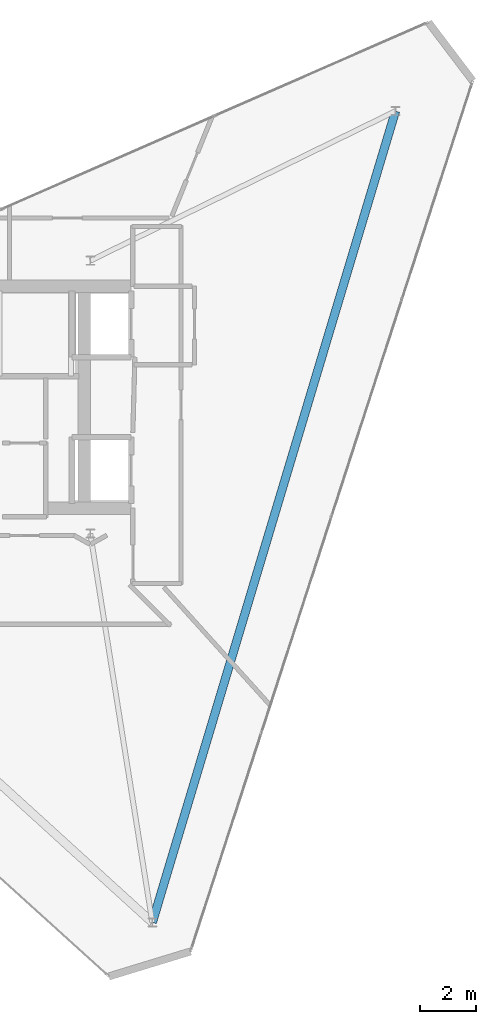
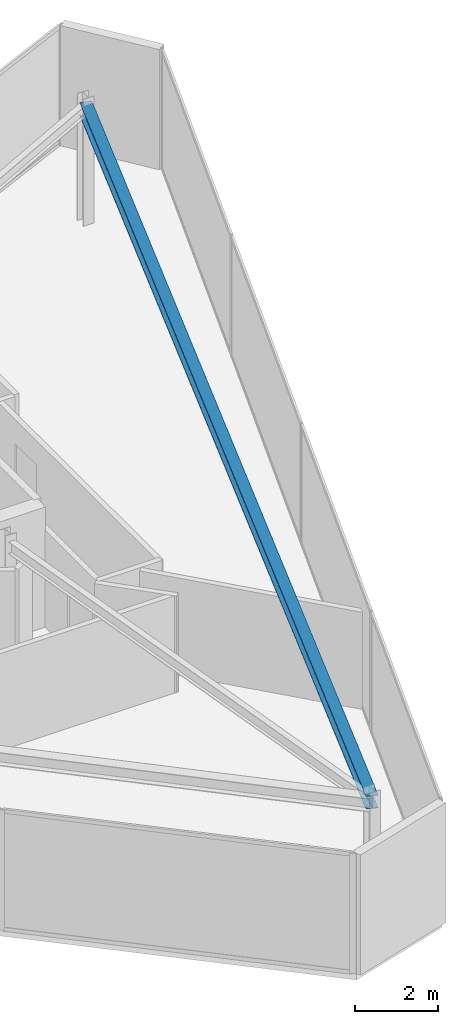
# One storey, part 9 of 16: 1 beam.
"""IFC4 building model written with IfcOpenShell, lengths in metres."""

from ifc_helpers import new_model, si_unit, direction, frame, origin, origin_2d, place, context, subcontext, project, spatial, i_section, extrude, material, material_profile, profile_set, type_object, element, save


model = new_model("IFC4")

# Units and contexts
model_context = context("Model", 3, precision=1e-05, world=origin(), true_north=direction((0.0, 1.0)))
body_context = subcontext(model_context, "Body", "Model", "MODEL_VIEW")
ifc_project = project(units=[si_unit("LENGTHUNIT", "METRE"), si_unit("AREAUNIT", "SQUARE_METRE"), si_unit("VOLUMEUNIT", "CUBIC_METRE"), si_unit("PLANEANGLEUNIT", "RADIAN"), si_unit("MASSUNIT", "GRAM", prefix="KILO")], contexts=[model_context])

# Site, building, storey
site_placement = place(None, origin())
site = spatial("IfcSite", under=ifc_project, at=site_placement, CompositionType="ELEMENT")
building_placement = place(site_placement, origin())
building = spatial("IfcBuilding", under=site, at=building_placement, Name="Qianvela Tower", CompositionType="ELEMENT")
storey_placement = place(building_placement, frame((0.0, 0.0, 367.550048828125)))
storey = spatial("IfcBuildingStorey", under=building, at=storey_placement, Name="L95", CompositionType="ELEMENT", Elevation=367.550048828125)

# Beam
ifc_material = material(Name="Steel Q355B", Category="steel")
ifc_material_profile = material_profile(ifc_material, i_section(OverallWidth=0.300048828125, OverallDepth=0.389892578125, WebThickness=0.010009765625, FlangeThickness=0.01611328125, at=origin_2d()), Name="HM390x300x10x16")
ifc_profile_set = profile_set([ifc_material_profile], Name="Steel Q355B")
beam_type = type_object("IfcBeamType", Name="BM-HM390-COLL", PredefinedType="BEAM", material=ifc_profile_set)
beam_placement = place(storey_placement, frame((49.248046875, 38.866943359375, 3.35302734375), z_axis=(-0.287106838651, -0.957898566237, 0.0), x_axis=(0.957898566237, -0.287106838651, 0.0)))
element("IfcBeam", 1, at=beam_placement, inside=storey, type_object=beam_type, Name="L95 Crown Perimeter Frame Girder 1", PredefinedType="BEAM", context=body_context, shape_type="SweptSolid", body=[
    extrude(i_section(OverallWidth=0.300048828125, OverallDepth=0.389892578125, WebThickness=0.010009765625, FlangeThickness=0.01611328125, at=origin_2d()), origin(), (0.0, 0.0, 1.0), 30.107421875),
])

save(model, "model.ifc")
